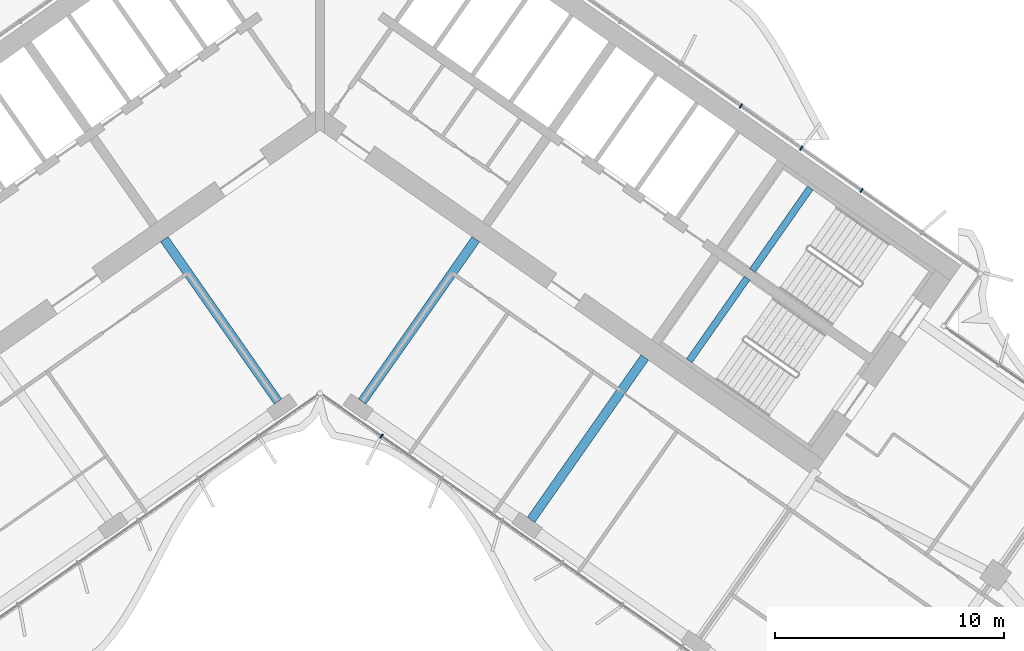
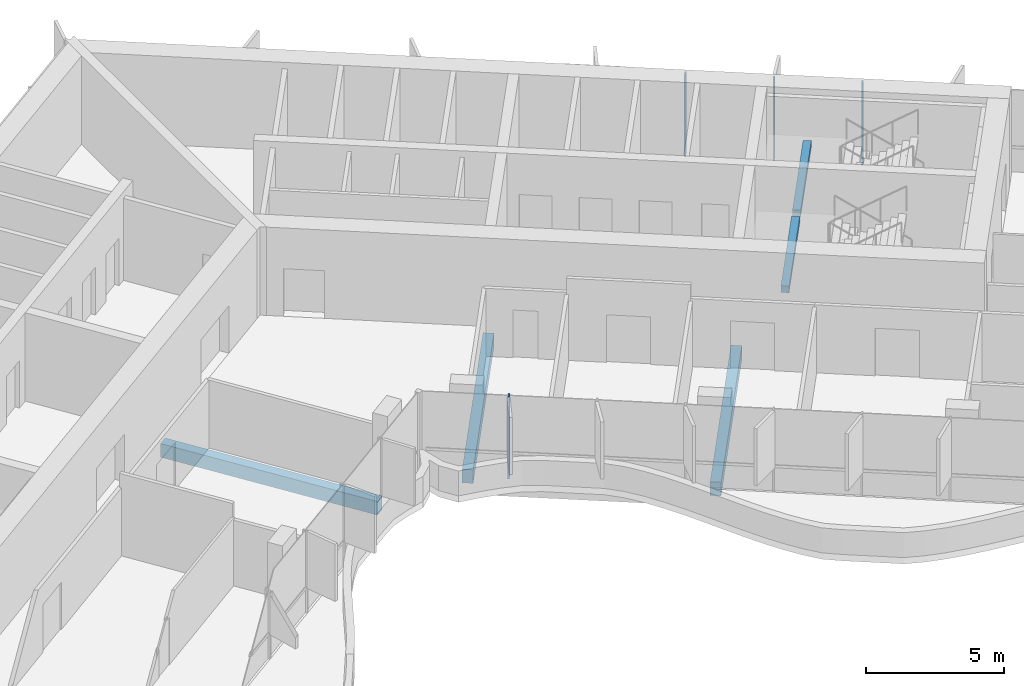
# One storey, part 7 of 24: 5 beams, 4 members, 2 elements without a shape of their own.
"""IFC4 building model written with IfcOpenShell, lengths in metres."""

from ifc_helpers import new_model, si_unit, direction, frame, origin, origin_2d, place, context, subcontext, project, spatial, rectangle, extrude, material, material_profile, profile_set, type_object, element, aggregate, save


model = new_model("IFC4")

# Units and contexts
model_context = context("Model", 3, precision=1e-05, world=origin(), true_north=direction((0.0, 1.0)))
body_context = subcontext(model_context, "Body", "Model", "MODEL_VIEW")
ifc_project = project(units=[si_unit("LENGTHUNIT", "METRE"), si_unit("AREAUNIT", "SQUARE_METRE"), si_unit("VOLUMEUNIT", "CUBIC_METRE"), si_unit("PLANEANGLEUNIT", "RADIAN"), si_unit("MASSUNIT", "GRAM", prefix="KILO")], contexts=[model_context])

# Site, building, storey
site_placement = place(None, origin())
site = spatial("IfcSite", under=ifc_project, at=site_placement, CompositionType="ELEMENT")
building_placement = place(site_placement, origin())
building = spatial("IfcBuilding", under=site, at=building_placement, Name="Tel Ilan Convention Tower", CompositionType="ELEMENT")
storey_placement = place(building_placement, frame((0.0, 0.0, 167.10009765625)))
storey = spatial("IfcBuildingStorey", under=building, at=storey_placement, Name="L38", CompositionType="ELEMENT", Elevation=167.10009765625)

# Beams
ifc_material_1 = material(Name="Concrete C40/50", Category="concrete")
ifc_material_profile_1 = material_profile(ifc_material_1, rectangle(XDim=0.39990234375, YDim=0.60009765625, at=origin_2d()), Name="RC 400x600")
ifc_profile_set_1 = profile_set([ifc_material_profile_1], Name="Concrete C40/50")
beam_type_1 = type_object("IfcBeamType", Name="Beam RC 400x600 Concrete C40/50", PredefinedType="BEAM", material=ifc_profile_set_1)
for number, where, z_axis, x_axis, name in (
    (1, (-1.83740234375, -13.06689453125, -0.580078125), (-0.573574099654, 0.819153680457, 0.0), (-0.819153680457, -0.573574099654, 0.0), "L38 beam W-W-F1-core"),
    (2, (1.83740234375, -13.06689453125, -0.580078125), (0.573574099654, 0.819153680457, 0.0), (-0.819153680457, 0.573574099654, 0.0), "L38 beam E-E-F1-core"),
    (3, (9.209716796875, -18.229248046875, -0.580078125), (0.573574099654, 0.819153680457, 0.0), (-0.819153680457, 0.573574099654, 0.0), "L38 beam E-E-F2-core"),
):
    element("IfcBeam", number, at=place(storey_placement, frame(where, z_axis=z_axis, x_axis=x_axis)), inside=storey, type_object=beam_type_1, Name=name, PredefinedType="BEAM", context=body_context, shape_type="SweptSolid", body=[
        extrude(rectangle(XDim=0.39990234375, YDim=0.60009765625, at=origin_2d()), origin(), (0.0, 0.0, 1.0), 8.64990234375),
    ])

# Curtain wall, members
ifc_material_2 = material(Name="Aluminium, bronze anodised", Category="aluminium")
curtain_wall_type_1 = type_object("IfcCurtainWallType", Name="CW2 STICK CURTAIN WALL, SPANDREL PANELS", PredefinedType="NOTDEFINED", material=ifc_material_2)
curtain_wall_1_placement = place(storey_placement, origin())
curtain_wall_1 = element("IfcCurtainWall", 4, at=curtain_wall_1_placement, inside=storey, type_object=curtain_wall_type_1, Name="Curtain wall CW2-30.01", PredefinedType="NOTDEFINED")
ifc_material_3 = material(Name="Aluminium, bronze anodised", Category="aluminium")
ifc_material_profile_2 = material_profile(ifc_material_3, rectangle(XDim=0.06005859375, YDim=0.199951171875, at=origin_2d()), Name="CW MULLION 60x200")
ifc_profile_set_2 = profile_set([ifc_material_profile_2], Name="Aluminium, bronze anodised")
member_type = type_object("IfcMemberType", Name="CW MULLION 60x200", PredefinedType="MULLION", material=ifc_profile_set_2)
member_1_placement = place(storey_placement, frame((23.63623046875, -3.854248046875, 0.0), z_axis=(0.0, 0.0, 1.0), x_axis=(-0.819152044289, 0.573576436351, 0.0)))
member_1 = element("IfcMember", 5, at=member_1_placement, type_object=member_type, Name="Mullion", PredefinedType="MULLION", context=body_context, shape_type="SweptSolid", body=[
    extrude(rectangle(XDim=0.06005859375, YDim=0.199951171875, at=origin_2d()), origin(), (0.0, 0.0, 1.0), 3.619873046875),
])
member_2_placement = place(storey_placement, frame((21.003662109375, -2.0107421875, 0.0), z_axis=(0.0, 0.0, 1.0), x_axis=(-0.819152044289, 0.573576436351, 0.0)))
member_2 = element("IfcMember", 6, at=member_2_placement, type_object=member_type, Name="Mullion", PredefinedType="MULLION", context=body_context, shape_type="SweptSolid", body=[
    extrude(rectangle(XDim=0.06005859375, YDim=0.199951171875, at=origin_2d()), origin(), (0.0, 0.0, 1.0), 3.619873046875),
])
member_3_placement = place(storey_placement, frame((18.37109375, -0.16748046875, 0.0), z_axis=(0.0, 0.0, 1.0), x_axis=(-0.819152044289, 0.573576436351, 0.0)))
member_3 = element("IfcMember", 7, at=member_3_placement, type_object=member_type, Name="Mullion", PredefinedType="MULLION", context=body_context, shape_type="SweptSolid", body=[
    extrude(rectangle(XDim=0.06005859375, YDim=0.199951171875, at=origin_2d()), origin(), (0.0, 0.0, 1.0), 3.619873046875),
])
aggregate(curtain_wall_1, [member_1, member_2, member_3])

# Curtain wall, member
ifc_material_4 = material(Name="Aluminium, bronze anodised", Category="aluminium")
curtain_wall_type_2 = type_object("IfcCurtainWallType", Name="CW4 STICK CURTAIN WALL, OFFICE TINTED GLASS", PredefinedType="NOTDEFINED", material=ifc_material_4)
curtain_wall_2_placement = place(storey_placement, origin())
curtain_wall_2 = element("IfcCurtainWall", 8, at=curtain_wall_2_placement, inside=storey, type_object=curtain_wall_type_2, Name="Curtain wall CW4-30.04", PredefinedType="NOTDEFINED")
member_4_placement = place(storey_placement, frame((2.6826171875, -14.574462890625, 0.0), z_axis=(0.0, 0.0, 1.0), x_axis=(0.819152044289, -0.573576436351, 0.0)))
member_4 = element("IfcMember", 9, at=member_4_placement, type_object=member_type, Name="Mullion", PredefinedType="MULLION", context=body_context, shape_type="SweptSolid", body=[
    extrude(rectangle(XDim=0.06005859375, YDim=0.199951171875, at=origin_2d()), origin(), (0.0, 0.0, 1.0), 3.619873046875),
])
aggregate(curtain_wall_2, [member_4])

# Beams
ifc_material_5 = material(Name="Concrete C40/50", Category="concrete")
ifc_material_profile_3 = material_profile(ifc_material_5, rectangle(XDim=0.300048828125, YDim=0.300048828125, at=origin_2d()), Name="RC 300x300")
ifc_profile_set_3 = profile_set([ifc_material_profile_3], Name="Concrete C40/50")
beam_type_2 = type_object("IfcBeamType", Name="Landing Beam RC 300x300 Concrete C40/50", PredefinedType="BEAM", material=ifc_profile_set_3)
beam_1_placement = place(storey_placement, frame((21.39404296875, -3.7490234375, 1.599853515625), z_axis=(-0.57354426506, -0.819174569928, 0.0), x_axis=(0.819174569928, -0.57354426506, 0.0)))
element("IfcBeam", 10, at=beam_1_placement, inside=storey, type_object=beam_type_2, Name="S3 landing beam L38.1", PredefinedType="BEAM", context=body_context, shape_type="SweptSolid", body=[
    extrude(rectangle(XDim=0.300048828125, YDim=0.300048828125, at=origin_2d()), origin(), (0.0, 0.0, 1.0), 4.400146484375),
])
beam_2_placement = place(storey_placement, frame((18.640869140625, -7.68115234375, 1.599853515625), z_axis=(-0.573570334442, -0.819156316858, 0.0), x_axis=(0.819156316858, -0.573570334442, 0.0)))
element("IfcBeam", 11, at=beam_2_placement, inside=storey, type_object=beam_type_2, Name="S4 landing beam L38.1", PredefinedType="BEAM", context=body_context, shape_type="SweptSolid", body=[
    extrude(rectangle(XDim=0.300048828125, YDim=0.300048828125, at=origin_2d()), origin(), (0.0, 0.0, 1.0), 4.39990234375),
])

save(model, "model.ifc")
